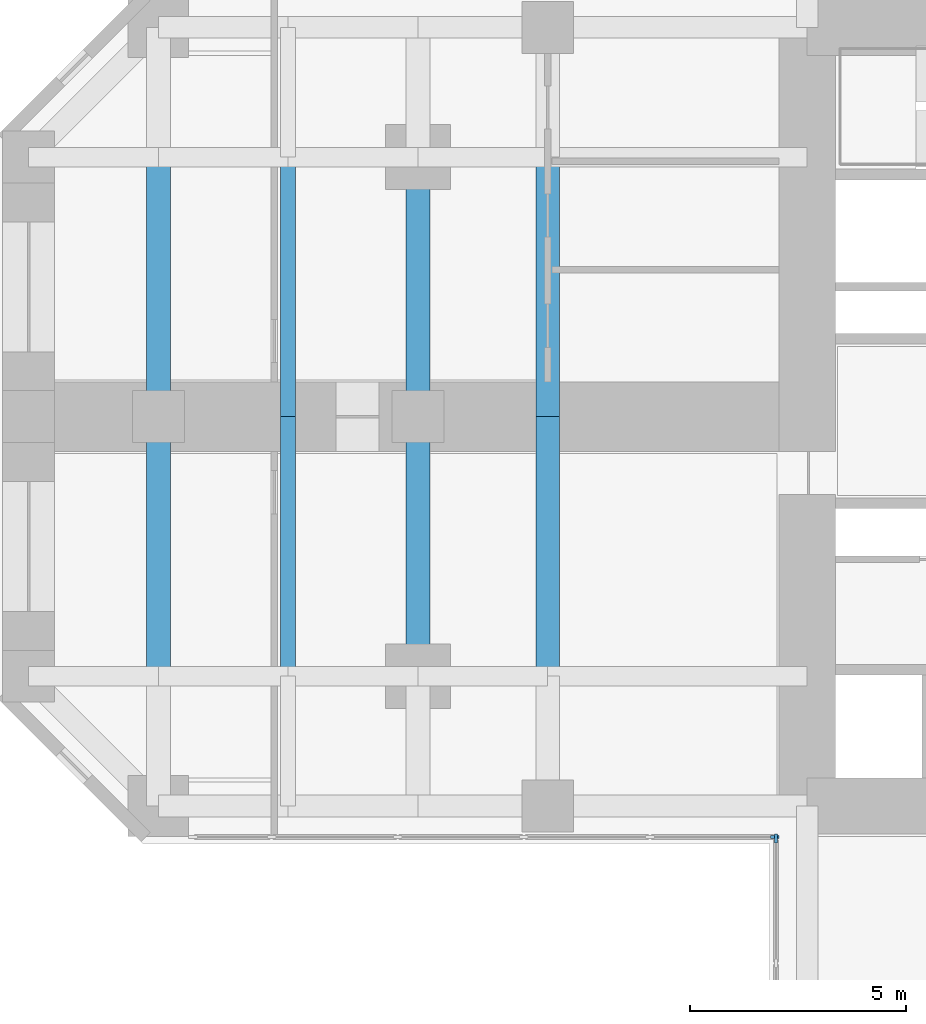
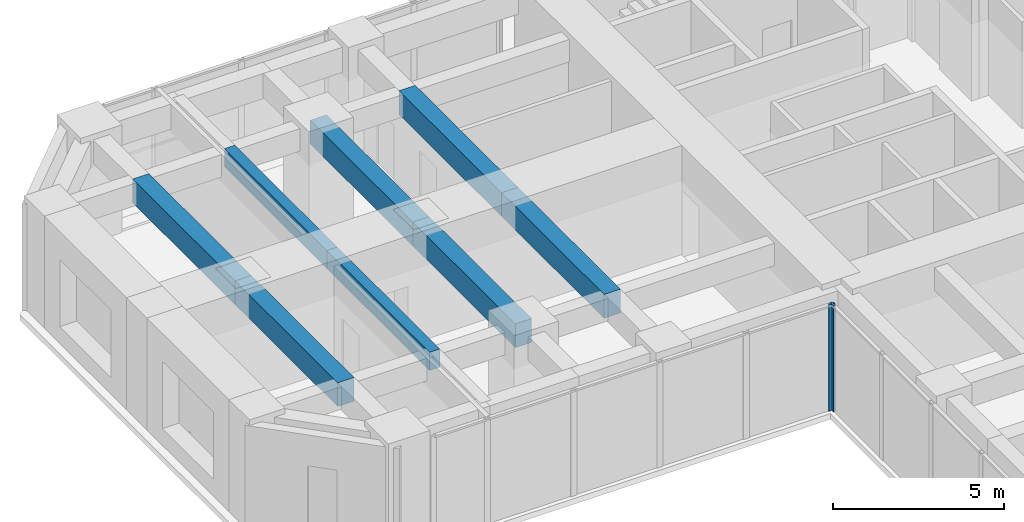
# One storey, part 3 of 13: 8 beams, 2 members, 2 elements without a shape of their own.
"""IFC4 building model written with IfcOpenShell, lengths in metres."""

from ifc_helpers import new_model, si_unit, direction, frame, origin, origin_2d, place, context, subcontext, project, spatial, rectangle, extrude, material, material_profile, profile_set, type_object, element, aggregate, save


model = new_model("IFC4")

# Units and contexts
model_context = context("Model", 3, precision=1e-05, world=origin(), true_north=direction((0.0, 1.0)))
body_context = subcontext(model_context, "Body", "Model", "MODEL_VIEW")
ifc_project = project(units=[si_unit("LENGTHUNIT", "METRE"), si_unit("AREAUNIT", "SQUARE_METRE"), si_unit("VOLUMEUNIT", "CUBIC_METRE"), si_unit("PLANEANGLEUNIT", "RADIAN"), si_unit("MASSUNIT", "GRAM", prefix="KILO")], contexts=[model_context])

# Site, building, storey
site_placement = place(None, origin())
site = spatial("IfcSite", under=ifc_project, at=site_placement, CompositionType="ELEMENT")
building_placement = place(site_placement, origin())
building = spatial("IfcBuilding", under=site, at=building_placement, Name="Torre Cruceta", CompositionType="ELEMENT")
storey_placement = place(building_placement, frame((0.0, 0.0, 23.5)))
storey = spatial("IfcBuildingStorey", under=building, at=storey_placement, Name="L05", CompositionType="ELEMENT", Elevation=23.5)

# Beams
ifc_material_1 = material(Name="Concrete G60 (fck 60 MPa)", Category="concrete")
ifc_material_profile_1 = material_profile(ifc_material_1, rectangle(XDim=0.550048828125, YDim=0.85009765625, at=origin_2d()), Name="RC 550X850")
ifc_profile_set_1 = profile_set([ifc_material_profile_1], Name="Concrete G60 (fck 60 MPa)")
beam_type_1 = type_object("IfcBeamType", Name="CROSS BEAM RC 550X850", PredefinedType="BEAM", material=ifc_profile_set_1)
for number, where, z_axis, x_axis, name in (
    (1, (-15.0, 6.0, 3.375), (0.0, -1.0, 0.0), (1.0, 0.0, 0.0), "GB4 L05 W cross15 2"),
    (2, (-15.0, 0.0, 3.375), (0.0, -1.0, 0.0), (1.0, 0.0, 0.0), "GB4 L05 W cross15 3"),
    (3, (-18.0, 6.0, 3.375), (0.0, -1.0, 0.0), (1.0, 0.0, 0.0), "GB4 L05 W cross18 2"),
    (4, (-18.0, 0.0, 3.375), (0.0, -1.0, 0.0), (1.0, 0.0, 0.0), "GB4 L05 W cross18 3"),
    (5, (-24.0, 6.0, 3.375), (0.0, -1.0, 0.0), (1.0, 0.0, 0.0), "GB4 L05 W cross24 2"),
    (6, (-24.0, 0.0, 3.375), (0.0, -1.0, 0.0), (1.0, 0.0, 0.0), "GB4 L05 W cross24 3"),
):
    element("IfcBeam", number, at=place(storey_placement, frame(where, z_axis=z_axis, x_axis=x_axis)), inside=storey, type_object=beam_type_1, Name=name, PredefinedType="BEAM", context=body_context, shape_type="SweptSolid", body=[
        extrude(rectangle(XDim=0.550048828125, YDim=0.85009765625, at=origin_2d()), origin(), (0.0, 0.0, 1.0), 6.0),
    ])

# Curtain wall, member
ifc_material_2 = material(Name="Aluminium unitised curtain wall", Category="aluminium")
curtain_wall_type = type_object("IfcCurtainWallType", Name="CURTAIN WALL CW-A OFFICE LOW RISE", PredefinedType="USERDEFINED", material=ifc_material_2)
curtain_wall_1_placement = place(storey_placement, origin())
curtain_wall_1 = element("IfcCurtainWall", 7, at=curtain_wall_1_placement, inside=storey, type_object=curtain_wall_type, Name="CW-A L05 W side 14", ObjectType="UNITISED", PredefinedType="USERDEFINED")
ifc_material_3 = material(Name="Aluminium mullion", Category="aluminium")
ifc_material_profile_2 = material_profile(ifc_material_3, rectangle(XDim=0.06494140625, YDim=0.199951171875, at=origin_2d()), Name="AL 65X200")
ifc_profile_set_2 = profile_set([ifc_material_profile_2], Name="Aluminium mullion")
member_type = type_object("IfcMemberType", Name="CW-A MULLION 65X200", PredefinedType="MULLION", material=ifc_profile_set_2)
member_1_placement = place(storey_placement, frame((-9.75244140625, -9.719970703125, 0.0), z_axis=(0.0, 0.0, 1.0), x_axis=(0.0, 1.0, 0.0)))
member_1 = element("IfcMember", 8, at=member_1_placement, type_object=member_type, Name="CW-A mullion 6", PredefinedType="MULLION", context=body_context, shape_type="SweptSolid", body=[
    extrude(rectangle(XDim=0.06494140625, YDim=0.199951171875, at=origin_2d()), origin(), (0.0, 0.0, 1.0), 3.800048828125),
])
aggregate(curtain_wall_1, [member_1])

curtain_wall_2_placement = place(storey_placement, origin())
curtain_wall_2 = element("IfcCurtainWall", 9, at=curtain_wall_2_placement, inside=storey, type_object=curtain_wall_type, Name="CW-A L05 S side 15", ObjectType="UNITISED", PredefinedType="USERDEFINED")
member_2_placement = place(storey_placement, frame((-9.719970703125, -9.75244140625, 0.0), z_axis=(0.0, 0.0, 1.0), x_axis=(1.0, 0.0, 0.0)))
member_2 = element("IfcMember", 10, at=member_2_placement, type_object=member_type, Name="CW-A mullion 1", PredefinedType="MULLION", context=body_context, shape_type="SweptSolid", body=[
    extrude(rectangle(XDim=0.06494140625, YDim=0.199951171875, at=origin_2d()), origin(), (0.0, 0.0, 1.0), 3.800048828125),
])
aggregate(curtain_wall_2, [member_2])

# Beams
ifc_material_4 = material(Name="Concrete G60 (fck 60 MPa)", Category="concrete")
ifc_material_profile_3 = material_profile(ifc_material_4, rectangle(XDim=0.35009765625, YDim=0.64990234375, at=origin_2d()), Name="RC 350X650")
ifc_profile_set_3 = profile_set([ifc_material_profile_3], Name="Concrete G60 (fck 60 MPa)")
beam_type_2 = type_object("IfcBeamType", Name="SECONDARY BEAM RC 350X650", PredefinedType="JOIST", material=ifc_profile_set_3)
for number, where, z_axis, x_axis, name in (
    (11, (-21.0, 6.0, 3.47509765625), (0.0, -1.0, 0.0), (1.0, 0.0, 0.0), "JB3 L05 W sec21 2"),
    (12, (-21.0, 0.0, 3.47509765625), (0.0, -1.0, 0.0), (1.0, 0.0, 0.0), "JB3 L05 W sec21 3"),
):
    element("IfcBeam", number, at=place(storey_placement, frame(where, z_axis=z_axis, x_axis=x_axis)), inside=storey, type_object=beam_type_2, Name=name, PredefinedType="JOIST", context=body_context, shape_type="SweptSolid", body=[
        extrude(rectangle(XDim=0.35009765625, YDim=0.64990234375, at=origin_2d()), origin(), (0.0, 0.0, 1.0), 6.0),
    ])

save(model, "model.ifc")
